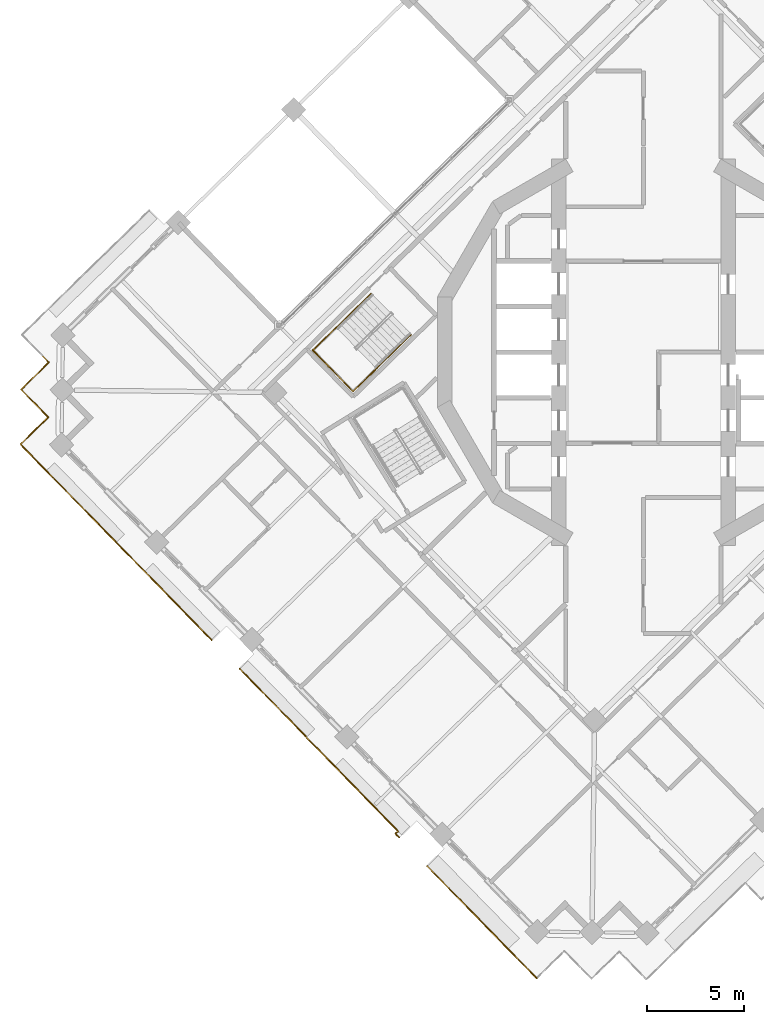
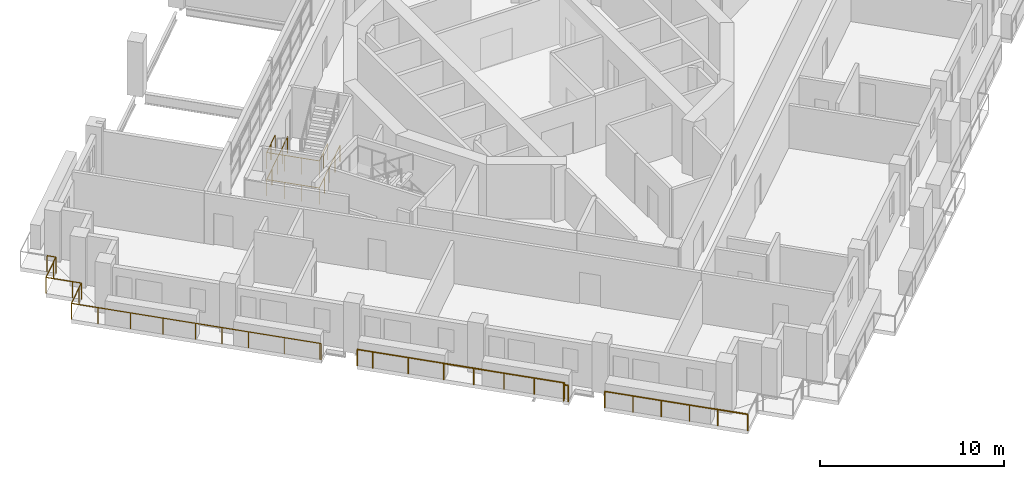
# One storey, part 16 of 21: 5 railings.
"""IFC4 building model written with IfcOpenShell, lengths in metres."""

from ifc_helpers import new_model, si_unit, direction, frame, origin, origin_2d, place, context, subcontext, project, spatial, circle, extrude, material, type_object, element, save


model = new_model("IFC4")

# Units and contexts
model_context = context("Model", 3, precision=1e-05, world=origin(), true_north=direction((0.0, 1.0)))
body_context = subcontext(model_context, "Body", "Model", "MODEL_VIEW")
ifc_project = project(units=[si_unit("LENGTHUNIT", "METRE"), si_unit("AREAUNIT", "SQUARE_METRE"), si_unit("VOLUMEUNIT", "CUBIC_METRE"), si_unit("PLANEANGLEUNIT", "RADIAN"), si_unit("MASSUNIT", "GRAM", prefix="KILO")], contexts=[model_context])

# Site, building, storey
site_placement = place(None, origin())
site = spatial("IfcSite", under=ifc_project, at=site_placement, CompositionType="ELEMENT")
building_placement = place(site_placement, origin())
building = spatial("IfcBuilding", under=site, at=building_placement, Name="Cantera Rosa Tower", CompositionType="ELEMENT")
storey_placement = place(building_placement, frame((0.0, 0.0, 230.60009765625)))
storey = spatial("IfcBuildingStorey", under=building, at=storey_placement, Name="L50", CompositionType="ELEMENT", Elevation=230.60009765625)

# Railings
ifc_material_1 = material(Name="Stainless steel and laminated glass", Category="steel")
railing_type_1 = type_object("IfcRailingType", Name="GUARD 1100", PredefinedType="BALUSTRADE", material=ifc_material_1)
railing_1_placement = place(storey_placement, frame((-12.595703125, -25.028076171875, 0.0)))
element("IfcRailing", 1, at=railing_1_placement, inside=storey, type_object=railing_type_1, Name="GUARD L50-1", PredefinedType="BALUSTRADE", context=body_context, shape_type="SweptSolid", body=[
    extrude(circle(Radius=0.030029296875, at=origin_2d()), frame((0.0, 0.0, 1.070068359375), z_axis=(-0.698922436913, 0.715197474254, 0.0), x_axis=(-0.715197474254, -0.698922436913, 0.0)), (0.0, 0.0, 1.0), 0.27001953125),
    extrude(circle(Radius=0.030029296875, at=origin_2d()), frame((-0.188720703125, 0.193115234375, 1.070068359375), z_axis=(0.715589832222, 0.698520716958, 0.0), x_axis=(-0.698520716958, 0.715589832222, 0.0)), (0.0, 0.0, 1.0), 0.18603515625),
    extrude(circle(Radius=0.030029296875, at=origin_2d()), frame((-0.0556640625, 0.322998046875, 1.070068359375), z_axis=(-0.698824551526, 0.715293119067, 0.0), x_axis=(-0.715293119067, -0.698824551526, 0.0)), (0.0, 0.0, 1.0), 6.834228515625),
    extrude(circle(Radius=0.030029296875, at=origin_2d()), frame((-4.83154296875, 5.21142578125, 1.070068359375), z_axis=(0.715781948377, 0.698323852075, 0.0), x_axis=(-0.698323852075, 0.715781948377, 0.0)), (0.0, 0.0, 1.0), 0.013916015625),
    extrude(circle(Radius=0.030029296875, at=origin_2d()), frame((-4.821533203125, 5.22119140625, 1.070068359375), z_axis=(-0.698862096229, 0.715256436849, 0.0), x_axis=(-0.715256436849, -0.698862096229, 0.0)), (0.0, 0.0, 1.0), 4.005859375),
    extrude(circle(Radius=0.030029296875, at=origin_2d()), frame((-7.62109375, 8.08642578125, 1.070068359375), z_axis=(-0.698779602308, 0.715337030636, 0.0), x_axis=(-0.715337030636, -0.698779602308, 0.0)), (0.0, 0.0, 1.0), 0.869873046875),
    extrude(circle(Radius=0.02490234375, at=origin_2d()), origin(), (0.0, 0.0, 1.0), 1.0400390625),
    extrude(circle(Radius=0.02490234375, at=origin_2d()), frame((-0.188720703125, 0.193115234375, 0.0)), (0.0, 0.0, 1.0), 1.0400390625),
    extrude(circle(Radius=0.02490234375, at=origin_2d()), frame((-0.0556640625, 0.322998046875, 0.0)), (0.0, 0.0, 1.0), 1.0400390625),
    extrude(circle(Radius=0.02490234375, at=origin_2d()), frame((-1.24951171875, 1.545166015625, 0.0)), (0.0, 0.0, 1.0), 1.0400390625),
    extrude(circle(Radius=0.02490234375, at=origin_2d()), frame((-2.443603515625, 2.76708984375, 0.0)), (0.0, 0.0, 1.0), 1.0400390625),
    extrude(circle(Radius=0.02490234375, at=origin_2d()), frame((-3.6376953125, 3.9892578125, 0.0)), (0.0, 0.0, 1.0), 1.0400390625),
    extrude(circle(Radius=0.02490234375, at=origin_2d()), frame((-4.83154296875, 5.21142578125, 0.0)), (0.0, 0.0, 1.0), 1.0400390625),
    extrude(circle(Radius=0.02490234375, at=origin_2d()), frame((-4.821533203125, 5.22119140625, 0.0)), (0.0, 0.0, 1.0), 1.0400390625),
    extrude(circle(Radius=0.02490234375, at=origin_2d()), frame((-6.22119140625, 6.65380859375, 0.0)), (0.0, 0.0, 1.0), 1.0400390625),
    extrude(circle(Radius=0.02490234375, at=origin_2d()), frame((-7.62109375, 8.08642578125, 0.0)), (0.0, 0.0, 1.0), 1.0400390625),
    extrude(circle(Radius=0.02490234375, at=origin_2d()), frame((-8.22900390625, 8.708740234375, 0.0)), (0.0, 0.0, 1.0), 1.0400390625),
])
railing_2_placement = place(storey_placement, frame((-22.26416015625, -14.845703125, 0.0)))
element("IfcRailing", 2, at=railing_2_placement, inside=storey, type_object=railing_type_1, Name="GUARD L50-3", PredefinedType="BALUSTRADE", context=body_context, shape_type="SweptSolid", body=[
    extrude(circle(Radius=0.030029296875, at=origin_2d()), frame((0.0, 0.0, 1.070068359375), z_axis=(-0.700106234421, 0.714038696798, 0.0), x_axis=(-0.714038696798, -0.700106234421, 0.0)), (0.0, 0.0, 1.0), 0.070068359375),
    extrude(circle(Radius=0.030029296875, at=origin_2d()), frame((-0.049072265625, 0.050048828125, 1.070068359375), z_axis=(-0.698829866575, 0.715287926351, 0.0), x_axis=(-0.715287926351, -0.698829866575, 0.0)), (0.0, 0.0, 1.0), 4.02001953125),
    extrude(circle(Radius=0.030029296875, at=origin_2d()), frame((-2.8583984375, 2.925537109375, 1.070068359375), z_axis=(-0.698839281014, 0.715278728407, 0.0), x_axis=(-0.715278728407, -0.698839281014, 0.0)), (0.0, 0.0, 1.0), 3.0),
    extrude(circle(Radius=0.030029296875, at=origin_2d()), frame((-4.954833984375, 5.0712890625, 1.070068359375), z_axis=(-0.698810055914, 0.715307280652, 0.0), x_axis=(-0.715307280652, -0.698810055914, 0.0)), (0.0, 0.0, 1.0), 5.52001953125),
    extrude(circle(Radius=0.030029296875, at=origin_2d()), frame((-8.812255859375, 9.019775390625, 1.070068359375), z_axis=(-0.698921594874, 0.71519829713, 0.0), x_axis=(-0.71519829713, -0.698921594874, 0.0)), (0.0, 0.0, 1.0), 1.5),
    extrude(circle(Radius=0.030029296875, at=origin_2d()), frame((-9.860595703125, 10.092529296875, 1.070068359375), z_axis=(0.715277793538, 0.698840237873, 0.0), x_axis=(-0.698840237873, 0.715277793538, 0.0)), (0.0, 0.0, 1.0), 1.5),
    extrude(circle(Radius=0.030029296875, at=origin_2d()), frame((-8.78759765625, 11.140869140625, 1.070068359375), z_axis=(0.715359149995, 0.698756958118, 0.0), x_axis=(-0.698756958118, 0.715359149995, 0.0)), (0.0, 0.0, 1.0), 0.5),
    extrude(circle(Radius=0.030029296875, at=origin_2d()), frame((-8.429931640625, 11.490234375, 1.070068359375), z_axis=(-0.699006712162, 0.715115107065, 0.0), x_axis=(-0.715115107065, -0.699006712162, 0.0)), (0.0, 0.0, 1.0), 0.500244140625),
    extrude(circle(Radius=0.030029296875, at=origin_2d()), frame((-8.779541015625, 11.847900390625, 1.070068359375), z_axis=(-0.698756958118, 0.715359149995, 0.0), x_axis=(-0.715359149995, -0.698756958118, 0.0)), (0.0, 0.0, 1.0), 1.5),
    extrude(circle(Radius=0.030029296875, at=origin_2d()), frame((-9.82763671875, 12.9208984375, 1.070068359375), z_axis=(0.71519829713, 0.698921594874, 0.0), x_axis=(-0.698921594874, 0.71519829713, 0.0)), (0.0, 0.0, 1.0), 1.5),
    extrude(circle(Radius=0.030029296875, at=origin_2d()), frame((-8.7548828125, 13.96923828125, 1.070068359375), z_axis=(0.715359149995, 0.698756958118, 0.0), x_axis=(-0.698756958118, 0.715359149995, 0.0)), (0.0, 0.0, 1.0), 0.5),
    extrude(circle(Radius=0.030029296875, at=origin_2d()), frame((-8.397216796875, 14.318603515625, 1.070068359375), z_axis=(-0.698756958118, 0.715359149995, 0.0), x_axis=(-0.715359149995, -0.698756958118, 0.0)), (0.0, 0.0, 1.0), 0.5),
    extrude(circle(Radius=0.02490234375, at=origin_2d()), origin(), (0.0, 0.0, 1.0), 1.0400390625),
    extrude(circle(Radius=0.02490234375, at=origin_2d()), frame((-0.049072265625, 0.050048828125, 0.0)), (0.0, 0.0, 1.0), 1.0400390625),
    extrude(circle(Radius=0.02490234375, at=origin_2d()), frame((-1.45361328125, 1.48779296875, 0.0)), (0.0, 0.0, 1.0), 1.0400390625),
    extrude(circle(Radius=0.02490234375, at=origin_2d()), frame((-2.8583984375, 2.925537109375, 0.0)), (0.0, 0.0, 1.0), 1.0400390625),
    extrude(circle(Radius=0.02490234375, at=origin_2d()), frame((-3.90673828125, 3.99853515625, 0.0)), (0.0, 0.0, 1.0), 1.0400390625),
    extrude(circle(Radius=0.02490234375, at=origin_2d()), frame((-4.954833984375, 5.0712890625, 0.0)), (0.0, 0.0, 1.0), 1.0400390625),
    extrude(circle(Radius=0.02490234375, at=origin_2d()), frame((-6.24072265625, 6.387451171875, 0.0)), (0.0, 0.0, 1.0), 1.0400390625),
    extrude(circle(Radius=0.02490234375, at=origin_2d()), frame((-7.5263671875, 7.70361328125, 0.0)), (0.0, 0.0, 1.0), 1.0400390625),
    extrude(circle(Radius=0.02490234375, at=origin_2d()), frame((-8.812255859375, 9.019775390625, 0.0)), (0.0, 0.0, 1.0), 1.0400390625),
    extrude(circle(Radius=0.02490234375, at=origin_2d()), frame((-9.860595703125, 10.092529296875, 0.0)), (0.0, 0.0, 1.0), 1.0400390625),
    extrude(circle(Radius=0.02490234375, at=origin_2d()), frame((-8.78759765625, 11.140869140625, 0.0)), (0.0, 0.0, 1.0), 1.0400390625),
    extrude(circle(Radius=0.02490234375, at=origin_2d()), frame((-8.429931640625, 11.490234375, 0.0)), (0.0, 0.0, 1.0), 1.0400390625),
    extrude(circle(Radius=0.02490234375, at=origin_2d()), frame((-8.779541015625, 11.847900390625, 0.0)), (0.0, 0.0, 1.0), 1.0400390625),
    extrude(circle(Radius=0.02490234375, at=origin_2d()), frame((-9.82763671875, 12.9208984375, 0.0)), (0.0, 0.0, 1.0), 1.0400390625),
    extrude(circle(Radius=0.02490234375, at=origin_2d()), frame((-8.7548828125, 13.96923828125, 0.0)), (0.0, 0.0, 1.0), 1.0400390625),
    extrude(circle(Radius=0.02490234375, at=origin_2d()), frame((-8.397216796875, 14.318603515625, 0.0)), (0.0, 0.0, 1.0), 1.0400390625),
    extrude(circle(Radius=0.02490234375, at=origin_2d()), frame((-8.74658203125, 14.67626953125, 0.0)), (0.0, 0.0, 1.0), 1.0400390625),
])
railing_3_placement = place(storey_placement, frame((-5.502685546875, -32.288330078125, 0.0)))
element("IfcRailing", 3, at=railing_3_placement, inside=storey, type_object=railing_type_1, Name="GUARD L50-6", PredefinedType="BALUSTRADE", context=body_context, shape_type="SweptSolid", body=[
    extrude(circle(Radius=0.030029296875, at=origin_2d()), frame((0.0, 0.0, 1.070068359375), z_axis=(-0.69880105094, 0.715316077832, 0.0), x_axis=(-0.715316077832, -0.69880105094, 0.0)), (0.0, 0.0, 1.0), 1.699951171875),
    extrude(circle(Radius=0.030029296875, at=origin_2d()), frame((-1.18798828125, 1.216064453125, 1.070068359375), z_axis=(-0.698825008445, 0.715292672668, 0.0), x_axis=(-0.715292672668, -0.698825008445, 0.0)), (0.0, 0.0, 1.0), 6.389892578125),
    extrude(circle(Radius=0.02490234375, at=origin_2d()), origin(), (0.0, 0.0, 1.0), 1.0400390625),
    extrude(circle(Radius=0.02490234375, at=origin_2d()), frame((-1.18798828125, 1.216064453125, 0.0)), (0.0, 0.0, 1.0), 1.0400390625),
    extrude(circle(Radius=0.02490234375, at=origin_2d()), frame((-2.30419921875, 2.358642578125, 0.0)), (0.0, 0.0, 1.0), 1.0400390625),
    extrude(circle(Radius=0.02490234375, at=origin_2d()), frame((-3.420654296875, 3.50146484375, 0.0)), (0.0, 0.0, 1.0), 1.0400390625),
    extrude(circle(Radius=0.02490234375, at=origin_2d()), frame((-4.537109375, 4.64404296875, 0.0)), (0.0, 0.0, 1.0), 1.0400390625),
    extrude(circle(Radius=0.02490234375, at=origin_2d()), frame((-5.6533203125, 5.78662109375, 0.0)), (0.0, 0.0, 1.0), 1.0400390625),
])
ifc_material_2 = material(Name="Steel S355J2 (EN 10025-2)", Category="steel")
railing_type_2 = type_object("IfcRailingType", Name="STAIR GUARD 1100", PredefinedType="GUARDRAIL", material=ifc_material_2)
railing_4_placement = place(storey_placement, frame((-14.044921875, 3.0322265625, 0.0)))
element("IfcRailing", 4, at=railing_4_placement, inside=storey, type_object=railing_type_2, Name="L50 ST-43 stair guard 4", PredefinedType="GUARDRAIL", context=body_context, shape_type="SweptSolid", body=[
    extrude(circle(Radius=0.02392578125, at=origin_2d()), frame((0.0, 0.0, 1.076171875), z_axis=(-0.715259213566, -0.698859254364, 0.0), x_axis=(0.698859254364, -0.715259213566, 0.0)), (0.0, 0.0, 1.0), 4.197998046875),
    extrude(circle(Radius=0.02392578125, at=origin_2d()), frame((-3.002685546875, -2.933837890625, 1.076171875), z_axis=(0.698838333505, -0.715279654138, 0.0), x_axis=(0.715279654138, 0.698838333505, 0.0)), (0.0, 0.0, 1.0), 2.9697265625),
    extrude(circle(Radius=0.02392578125, at=origin_2d()), frame((-0.92724609375, -5.05810546875, 1.076171875), z_axis=(0.715288284249, 0.698829500247, 0.0), x_axis=(-0.698829500247, 0.715288284249, 0.0)), (0.0, 0.0, 1.0), 4.19775390625),
    extrude(circle(Radius=0.02099609375, at=origin_2d()), origin(), (0.0, 0.0, 1.0), 1.052001953125),
    extrude(circle(Radius=0.02099609375, at=origin_2d()), frame((-0.750732421875, -0.7333984375, 0.0)), (0.0, 0.0, 1.0), 1.052001953125),
    extrude(circle(Radius=0.02099609375, at=origin_2d()), frame((-1.50146484375, -1.466796875, 0.0)), (0.0, 0.0, 1.0), 1.052001953125),
    extrude(circle(Radius=0.02099609375, at=origin_2d()), frame((-2.251953125, -2.200439453125, 0.0)), (0.0, 0.0, 1.0), 1.052001953125),
    extrude(circle(Radius=0.02099609375, at=origin_2d()), frame((-3.002685546875, -2.933837890625, 0.0)), (0.0, 0.0, 1.0), 1.052001953125),
    extrude(circle(Radius=0.02099609375, at=origin_2d()), frame((-2.310791015625, -3.641845703125, 0.0)), (0.0, 0.0, 1.0), 1.052001953125),
    extrude(circle(Radius=0.02099609375, at=origin_2d()), frame((-1.619140625, -4.35009765625, 0.0)), (0.0, 0.0, 1.0), 1.052001953125),
    extrude(circle(Radius=0.02099609375, at=origin_2d()), frame((-0.92724609375, -5.05810546875, 0.0)), (0.0, 0.0, 1.0), 1.052001953125),
    extrude(circle(Radius=0.02099609375, at=origin_2d()), frame((-0.176513671875, -4.32470703125, 0.0)), (0.0, 0.0, 1.0), 1.052001953125),
    extrude(circle(Radius=0.02099609375, at=origin_2d()), frame((0.57421875, -3.59130859375, 0.0)), (0.0, 0.0, 1.0), 1.052001953125),
    extrude(circle(Radius=0.02099609375, at=origin_2d()), frame((1.32470703125, -2.85791015625, 0.0)), (0.0, 0.0, 1.0), 1.052001953125),
    extrude(circle(Radius=0.02099609375, at=origin_2d()), frame((2.075439453125, -2.12451171875, 0.0)), (0.0, 0.0, 1.0), 1.052001953125),
])
railing_5_placement = place(storey_placement, frame((-15.830322265625, 1.287841796875, 1.7998046875)))
element("IfcRailing", 5, at=railing_5_placement, inside=storey, type_object=railing_type_2, Name="L50 ST-43 stair guard 5", PredefinedType="GUARDRAIL", context=body_context, shape_type="SweptSolid", body=[
    extrude(circle(Radius=0.02392578125, at=origin_2d()), frame((0.0, 0.0, 1.076171875), z_axis=(-0.715236090757, -0.698882919007, 0.0), x_axis=(0.698882919007, -0.715236090757, 0.0)), (0.0, 0.0, 1.0), 1.701904296875),
    extrude(circle(Radius=0.02392578125, at=origin_2d()), frame((-1.21728515625, -1.189453125, 1.076171875), z_axis=(0.698838333505, -0.715279654138, 0.0), x_axis=(0.715279654138, 0.698838333505, 0.0)), (0.0, 0.0, 1.0), 2.9697265625),
    extrude(circle(Radius=0.02392578125, at=origin_2d()), frame((0.858154296875, -3.313720703125, 1.076171875), z_axis=(0.715236090757, 0.698882919007, 0.0), x_axis=(-0.698882919007, 0.715236090757, 0.0)), (0.0, 0.0, 1.0), 1.701904296875),
    extrude(circle(Radius=0.02099609375, at=origin_2d()), origin(), (0.0, 0.0, 1.0), 1.052001953125),
    extrude(circle(Radius=0.02099609375, at=origin_2d()), frame((-0.608642578125, -0.5947265625, 0.0)), (0.0, 0.0, 1.0), 1.052001953125),
    extrude(circle(Radius=0.02099609375, at=origin_2d()), frame((-1.21728515625, -1.189453125, 0.0)), (0.0, 0.0, 1.0), 1.052001953125),
    extrude(circle(Radius=0.02099609375, at=origin_2d()), frame((-0.525390625, -1.8974609375, 0.0)), (0.0, 0.0, 1.0), 1.052001953125),
    extrude(circle(Radius=0.02099609375, at=origin_2d()), frame((0.166259765625, -2.605712890625, 0.0)), (0.0, 0.0, 1.0), 1.052001953125),
    extrude(circle(Radius=0.02099609375, at=origin_2d()), frame((0.858154296875, -3.313720703125, 0.0)), (0.0, 0.0, 1.0), 1.052001953125),
    extrude(circle(Radius=0.02099609375, at=origin_2d()), frame((1.466796875, -2.718994140625, 0.0)), (0.0, 0.0, 1.0), 1.052001953125),
    extrude(circle(Radius=0.02099609375, at=origin_2d()), frame((2.075439453125, -2.124267578125, 0.0)), (0.0, 0.0, 1.0), 1.052001953125),
])

save(model, "model.ifc")
